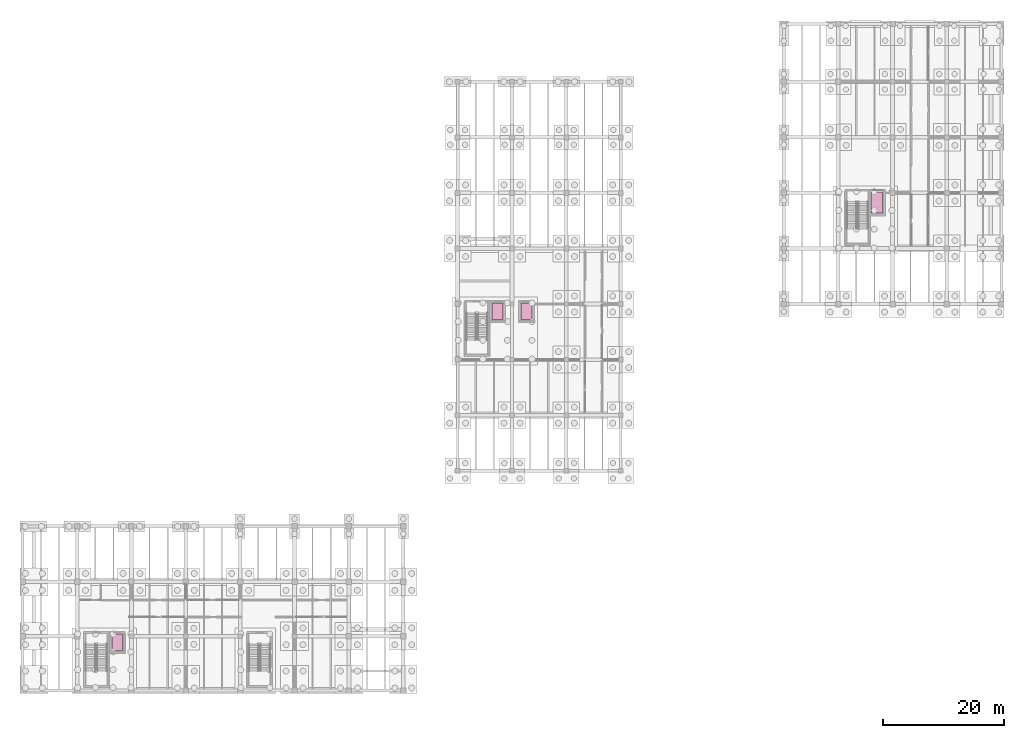
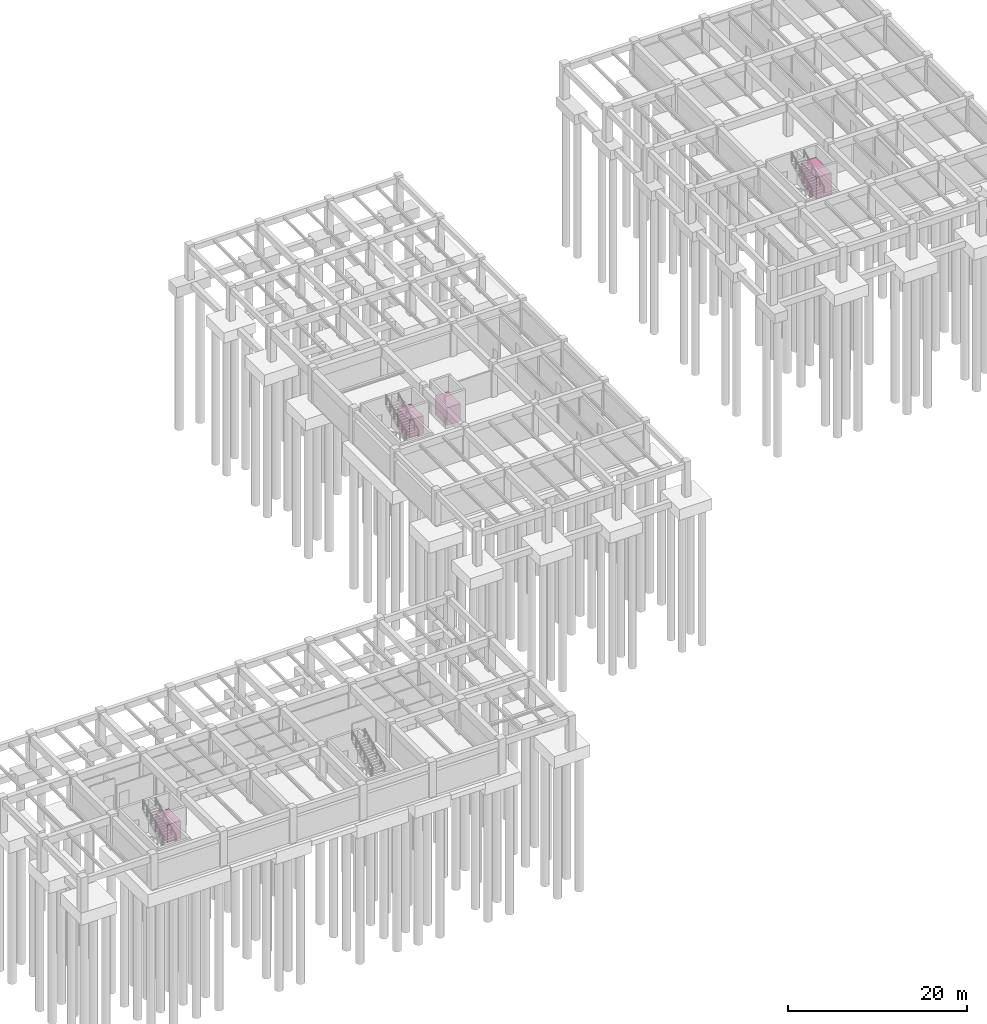
# One storey, part 16 of 16: 4 transport elements.
"""IFC4 building model written with IfcOpenShell, lengths in metres."""

from ifc_helpers import new_model, si_unit, direction, frame, origin, origin_2d, place, context, subcontext, project, spatial, rectangle, extrude, material, type_object, element, save


model = new_model("IFC4")

# Units and contexts
model_context = context("Model", 3, precision=1e-05, world=origin(), true_north=direction((0.0, 1.0)))
body_context = subcontext(model_context, "Body", "Model", "MODEL_VIEW")
ifc_project = project(units=[si_unit("LENGTHUNIT", "METRE"), si_unit("AREAUNIT", "SQUARE_METRE"), si_unit("VOLUMEUNIT", "CUBIC_METRE"), si_unit("PLANEANGLEUNIT", "RADIAN"), si_unit("MASSUNIT", "GRAM", prefix="KILO")], contexts=[model_context])

# Site, building, storey
site_placement = place(None, origin())
site = spatial("IfcSite", under=ifc_project, at=site_placement, CompositionType="ELEMENT")
building_placement = place(site_placement, origin())
building = spatial("IfcBuilding", under=site, at=building_placement, Name="Bozkorgan Art Gallery", CompositionType="ELEMENT")
storey_placement = place(building_placement, frame((0.0, 0.0, -4.800048828125)))
storey = spatial("IfcBuildingStorey", under=building, at=storey_placement, Name="B1", CompositionType="ELEMENT", Elevation=-4.800048828125)

# Transport elements
ifc_material = material(Name="Steel S355J2", Category="steel")
transport_element_type_1 = type_object("IfcTransportElementType", Name="LIFT-GOODS-01", PredefinedType="ELEVATOR", material=ifc_material)
transport_element_placement = place(storey_placement, frame((143.39990234375, 82.800048828125, 0.0), z_axis=(0.0, 0.0, 1.0), x_axis=(1.0, 0.0, 0.0)))
element("IfcTransportElement", 1, at=transport_element_placement, inside=storey, type_object=transport_element_type_1, Name="GL1 Heavy Art Freight Lift Car", PredefinedType="ELEVATOR", context=body_context, shape_type="SweptSolid", body=[
    extrude(rectangle(XDim=1.949951171875, YDim=3.5, at=origin_2d()), origin(), (0.0, 0.0, 1.0), 2.949951171875),
])
transport_element_type_2 = type_object("IfcTransportElementType", Name="LIFT-PASS-01", PredefinedType="ELEVATOR", material=ifc_material)
for number, where, z_axis, x_axis, name in (
    (2, (17.64990234375, 10.0, 0.0), (0.0, 0.0, 1.0), (1.0, 0.0, 0.0), "PL1 Passenger Lift Car"),
    (3, (80.60009765625, 64.800048828125, 0.0), (0.0, 0.0, 1.0), (1.0, 0.0, 0.0), "PL2 Passenger Lift Car"),
    (4, (85.39990234375, 64.800048828125, 0.0), (0.0, 0.0, 1.0), (1.0, 0.0, 0.0), "PL3 Passenger Lift Car"),
):
    element("IfcTransportElement", number, at=place(storey_placement, frame(where, z_axis=z_axis, x_axis=x_axis)), inside=storey, type_object=transport_element_type_2, Name=name, PredefinedType="ELEVATOR", context=body_context, shape_type="SweptSolid", body=[
        extrude(rectangle(XDim=1.75, YDim=2.699951171875, at=origin_2d()), origin(), (0.0, 0.0, 1.0), 2.449951171875),
    ])

save(model, "model.ifc")
